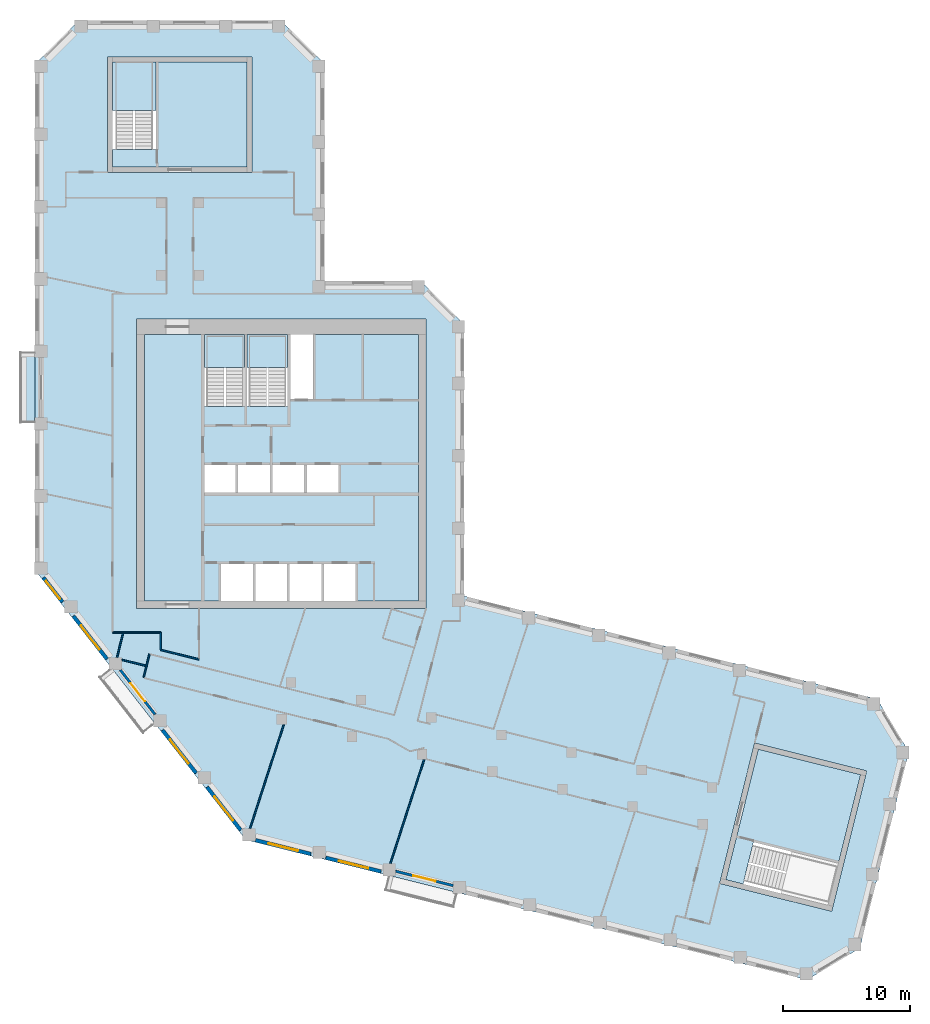
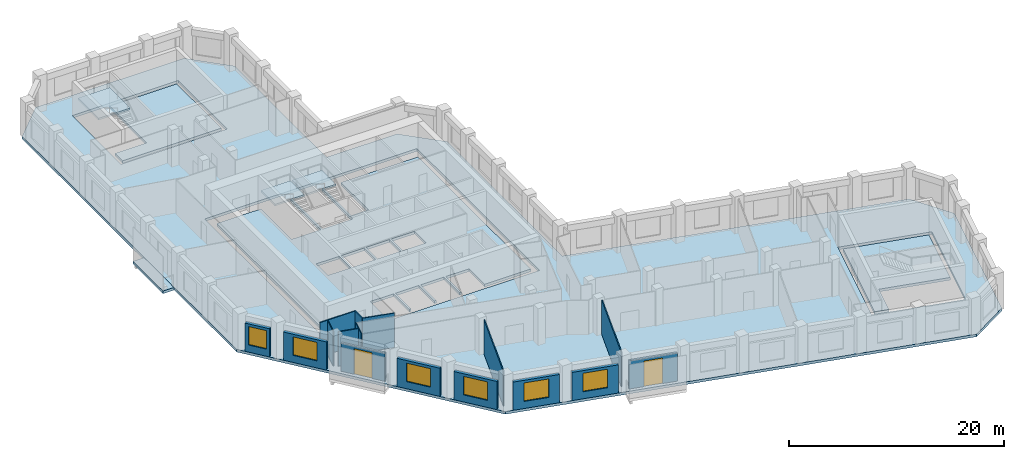
# One storey, part 2 of 9: 16 walls, 8 slabs, 6 windows, 2 doors, 8 openings, 3 elements without a shape of their own.
"""IFC4 building model written with IfcOpenShell, lengths in metres."""

from ifc_helpers import new_model, si_unit, direction, frame, frame_2d, origin, place, context, subcontext, project, spatial, polyline, rectangle, outline, extrude, material, layer, layer_set, type_object, element, fill, aggregate, save


model = new_model("IFC4")

# Units and contexts
model_context = context("Model", 3, precision=1e-05, world=origin(), true_north=direction((0.0, 1.0)))
body_context = subcontext(model_context, "Body", "Model", "MODEL_VIEW")
ifc_project = project(units=[si_unit("LENGTHUNIT", "METRE"), si_unit("AREAUNIT", "SQUARE_METRE"), si_unit("VOLUMEUNIT", "CUBIC_METRE"), si_unit("PLANEANGLEUNIT", "RADIAN"), si_unit("MASSUNIT", "GRAM", prefix="KILO")], contexts=[model_context])

# Site, building, storey
site_placement = place(None, origin())
site = spatial("IfcSite", under=ifc_project, at=site_placement, CompositionType="ELEMENT")
building_placement = place(site_placement, origin())
building = spatial("IfcBuilding", under=site, at=building_placement, Name="Meshkara Civic Tower", CompositionType="ELEMENT")
storey_placement = place(building_placement, frame((0.0, 0.0, 327.60009765625)))
storey = spatial("IfcBuildingStorey", under=building, at=storey_placement, Name="L75", CompositionType="ELEMENT", Elevation=327.60009765625)

# Slabs
ifc_material_1 = material(Name="Concrete C40", Category="concrete")
ifc_layer_1 = layer(ifc_material_1, 0.300048828125)
ifc_layer_set_1 = layer_set([ifc_layer_1], Name="BALCONY SLAB")
slab_type_1 = type_object("IfcSlabType", Name="BALCONY SLAB", PredefinedType="FLOOR", material=ifc_layer_set_1)
slab_1_placement = place(storey_placement, frame((0.0, 0.0, -0.300048828125)))
element("IfcSlab", 1, at=slab_1_placement, inside=storey, type_object=slab_type_1, Name="Balcony slab", PredefinedType="FLOOR", context=body_context, shape_type="SweptSolid", body=[
    extrude(outline(polyline([(-1.199951171875, 28.715087890625), (-1.199951171875, 34.294921875), (-0.050048828125, 34.294921875), (-0.050048828125, 33.85498046875), (0.0, 33.85498046875), (0.0, 29.155029296875), (-0.050048828125, 29.155029296875), (-0.050048828125, 28.715087890625), (-1.199951171875, 28.715087890625)])), origin(), (0.0, 0.0, 1.0), 0.300048828125),
])
ifc_material_2 = material(Name="Concrete C40/50", Category="concrete")
ifc_layer_2 = layer(ifc_material_2, 0.300048828125)
ifc_layer_set_2 = layer_set([ifc_layer_2], Name="Core floor slab 300 C40/50")
slab_type_2 = type_object("IfcSlabType", Name="Core floor slab 300 C40/50", PredefinedType="FLOOR", material=ifc_layer_set_2)
slab_2_placement = place(storey_placement, frame((0.0, 0.0, -0.300048828125)))
element("IfcSlab", 2, at=slab_2_placement, inside=storey, type_object=slab_type_2, Name="Core floor K", PredefinedType="FLOOR", context=body_context, shape_type="SweptSolid", body=[
    extrude(outline(polyline([(8.60009765625, 35.699951171875), (13.35009765625, 35.699951171875), (13.35009765625, 30.00146484375), (16.5, 30.00146484375), (16.5, 35.699951171875), (16.699951171875, 35.699951171875), (16.699951171875, 30.00146484375), (19.89990234375, 30.00146484375), (19.89990234375, 35.699951171875), (20.10009765625, 35.699951171875), (20.10009765625, 30.574951171875), (21.925048828125, 30.574951171875), (21.925048828125, 35.699951171875), (30.199951171875, 35.699951171875), (30.199951171875, 14.699951171875), (25.25, 14.699951171875), (25.25, 17.60009765625), (22.75, 17.60009765625), (22.75, 14.699951171875), (22.550048828125, 14.699951171875), (22.550048828125, 17.60009765625), (20.050048828125, 17.60009765625), (20.050048828125, 14.699951171875), (19.85009765625, 14.699951171875), (19.85009765625, 17.60009765625), (17.35009765625, 17.60009765625), (17.35009765625, 14.699951171875), (17.14990234375, 14.699951171875), (17.14990234375, 17.60009765625), (14.64990234375, 17.60009765625), (14.64990234375, 14.699951171875), (8.60009765625, 14.699951171875), (8.60009765625, 35.699951171875)]), holes=[polyline([(13.35009765625, 23.25), (15.800048828125, 23.25), (15.800048828125, 25.39990234375), (13.35009765625, 25.39990234375), (13.35009765625, 23.25)]), polyline([(18.5, 23.25), (18.5, 25.39990234375), (16.0, 25.39990234375), (16.0, 23.25), (18.5, 23.25)]), polyline([(18.699951171875, 23.25), (21.199951171875, 23.25), (21.199951171875, 25.39990234375), (18.699951171875, 25.39990234375), (18.699951171875, 23.25)]), polyline([(23.89990234375, 23.25), (23.89990234375, 25.39990234375), (21.39990234375, 25.39990234375), (21.39990234375, 23.25), (23.89990234375, 23.25)])]), origin(), (0.0, 0.0, 1.0), 0.300048828125),
])
slab_3_placement = place(storey_placement, frame((0.0, 0.0, -0.300048828125)))
element("IfcSlab", 3, at=slab_3_placement, inside=storey, type_object=slab_type_2, Name="Core floor EA", PredefinedType="FLOOR", context=body_context, shape_type="SweptSolid", body=[
    extrude(outline(polyline([(16.699951171875, 48.8701171875), (16.699951171875, 57.169921875), (9.5, 57.169921875), (9.5, 50.271484375), (6.10009765625, 50.271484375), (6.10009765625, 48.8701171875), (16.699951171875, 48.8701171875)])), origin(), (0.0, 0.0, 1.0), 0.300048828125),
])
slab_4_placement = place(storey_placement, frame((0.0, 0.0, -0.300048828125)))
element("IfcSlab", 4, at=slab_4_placement, inside=storey, type_object=slab_type_2, Name="Core floor EB", PredefinedType="FLOOR", context=body_context, shape_type="SweptSolid", body=[
    extrude(outline(polyline([(56.989013671875, 3.002197265625), (65.04248046875, 0.994384765625), (63.30078125, -5.99169921875), (56.607177734375, -4.322998046875), (55.78466796875, -7.621826171875), (54.4248046875, -7.282958984375), (56.989013671875, 3.002197265625)])), origin(), (0.0, 0.0, 1.0), 0.300048828125),
])

# Stair, slab
ifc_material_3 = material(Name="Precast concrete C40/50", Category="concrete")
stair_type = type_object("IfcStairType", Name="Exit stair half-turn 24 risers precast", PredefinedType="HALF_TURN_STAIR", material=ifc_material_3)
stair_1_placement = place(storey_placement, origin())
stair_1 = element("IfcStair", 5, at=stair_1_placement, inside=storey, type_object=stair_type, Name="L75 exit stair 1", PredefinedType="HALF_TURN_STAIR")
ifc_material_4 = material(Name="Precast concrete C40/50", Category="concrete")
ifc_layer_3 = layer(ifc_material_4, 0.199951171875)
ifc_layer_set_3 = layer_set([ifc_layer_3], Name="Exit stair landing 200")
slab_type_3 = type_object("IfcSlabType", Name="Exit stair landing 200", PredefinedType="LANDING", material=ifc_layer_set_3)
slab_5_placement = place(storey_placement, frame((0.0, 0.0, 1.89990234375)))
slab_5 = element("IfcSlab", 6, at=slab_5_placement, type_object=slab_type_3, Name="ST1 landing 1", PredefinedType="LANDING", context=body_context, shape_type="SweptSolid", body=[
    extrude(outline(polyline([(16.5, 33.07861328125), (16.5, 35.699951171875), (13.35009765625, 35.699951171875), (13.35009765625, 33.07861328125), (16.5, 33.07861328125)])), origin(), (0.0, 0.0, 1.0), 0.199951171875),
])
aggregate(stair_1, [slab_5])

stair_2_placement = place(storey_placement, origin())
stair_2 = element("IfcStair", 7, at=stair_2_placement, inside=storey, type_object=stair_type, Name="L75 exit stair 2", PredefinedType="HALF_TURN_STAIR")
slab_6_placement = place(storey_placement, frame((0.0, 0.0, 1.89990234375)))
slab_6 = element("IfcSlab", 8, at=slab_6_placement, type_object=slab_type_3, Name="ST2 landing 1", PredefinedType="LANDING", context=body_context, shape_type="SweptSolid", body=[
    extrude(outline(polyline([(19.89990234375, 33.07861328125), (19.89990234375, 35.699951171875), (16.699951171875, 35.699951171875), (16.699951171875, 33.07861328125), (19.89990234375, 33.07861328125)])), origin(), (0.0, 0.0, 1.0), 0.199951171875),
])
aggregate(stair_2, [slab_6])

stair_3_placement = place(storey_placement, origin())
stair_3 = element("IfcStair", 9, at=stair_3_placement, inside=storey, type_object=stair_type, Name="L75 exit stair A from L65", PredefinedType="HALF_TURN_STAIR")
slab_7_placement = place(storey_placement, frame((0.0, 0.0, 1.89990234375)))
slab_7 = element("IfcSlab", 10, at=slab_7_placement, type_object=slab_type_3, Name="ESA5 landing 1", PredefinedType="LANDING", context=body_context, shape_type="SweptSolid", body=[
    extrude(outline(polyline([(9.5, 53.348388671875), (9.5, 57.169921875), (6.10009765625, 57.169921875), (6.10009765625, 53.348388671875), (9.5, 53.348388671875)])), origin(), (0.0, 0.0, 1.0), 0.199951171875),
])
aggregate(stair_3, [slab_7])

# Slab
ifc_material_5 = material(Name="Concrete C50", Category="concrete")
ifc_layer_4 = layer(ifc_material_5, 0.300048828125)
ifc_layer_set_4 = layer_set([ifc_layer_4], Name="Post-tensioned flat slab 300 C50")
slab_type_4 = type_object("IfcSlabType", Name="Post-tensioned flat slab 300 C50", PredefinedType="FLOOR", material=ifc_layer_set_4)
slab_8_placement = place(storey_placement, frame((0.0, 0.0, -0.300048828125)))
element("IfcSlab", 11, at=slab_8_placement, inside=storey, type_object=slab_type_4, Name="Post-tensioned flat slab L75", PredefinedType="FLOOR", context=body_context, shape_type="SweptSolid", body=[
    extrude(outline(polyline([(64.98291015625, -12.677001953125), (60.837890625, -15.1689453125), (16.592041015625, -4.136962890625), (0.0, 17.10009765625), (0.0, 57.0), (3.419921875, 60.419921875), (19.3798828125, 60.419921875), (22.800048828125, 57.0), (22.800048828125, 39.89990234375), (30.3798828125, 39.89990234375), (33.800048828125, 36.47998046875), (33.800048828125, 15.071044921875), (66.35302734375, 6.9541015625), (68.843994140625, 2.80810546875), (64.98291015625, -12.677001953125)]), holes=[polyline([(62.77001953125, -9.77587890625), (65.527099609375, 1.285888671875), (56.697998046875, 3.487060546875), (53.93994140625, -7.573974609375), (62.77001953125, -9.77587890625)]), polyline([(8.0, 14.10009765625), (30.800048828125, 14.10009765625), (30.800048828125, 36.89990234375), (8.0, 36.89990234375), (8.0, 14.10009765625)]), polyline([(5.699951171875, 57.570068359375), (5.699951171875, 48.469970703125), (17.10009765625, 48.469970703125), (17.10009765625, 57.570068359375), (5.699951171875, 57.570068359375)])]), origin(), (0.0, 0.0, 1.0), 0.300048828125),
])

# Walls
ifc_material_6 = material(Name="Corridor wall 100")
ifc_layer_5 = layer(ifc_material_6, 0.10009765625)
ifc_layer_set_5 = layer_set([ifc_layer_5], Name="Corridor wall 100")
wall_type_1 = type_object("IfcWallType", Name="Corridor wall 100", PredefinedType="PARTITIONING", material=ifc_layer_set_5)
wall_1_placement = place(storey_placement, frame((6.10009765625, 12.199951171875, 0.0), z_axis=(0.0, 0.0, 1.0), x_axis=(1.0, 0.0, 0.0)))
element("IfcWall", 12, at=wall_1_placement, inside=storey, type_object=wall_type_1, Name="L75-W005", PredefinedType="PARTITIONING", context=body_context, shape_type="SweptSolid", body=[
    extrude(rectangle(XDim=3.7998046875, YDim=0.10009765625, at=frame_2d((1.89990234375, 0.0))), origin(), (0.0, 0.0, 1.0), 3.89990234375),
])
wall_2_placement = place(storey_placement, frame((9.001953125, 10.4990234375, 0.0), z_axis=(0.0, 0.0, 1.0), x_axis=(-0.241709519716, -0.970348652845, 0.0)))
element("IfcWall", 13, at=wall_2_placement, inside=storey, type_object=wall_type_1, Name="L75-W008", PredefinedType="PARTITIONING", context=body_context, shape_type="SweptSolid", body=[
    extrude(rectangle(XDim=1.877685546875, YDim=0.10009765625, at=frame_2d((0.93896484375, 0.0))), origin(), (0.0, 0.0, 1.0), 3.89990234375),
])
wall_3_placement = place(storey_placement, frame((9.89990234375, 10.825927734375, 0.0), z_axis=(0.0, 0.0, 1.0), x_axis=(0.970290953223, -0.241941038466, 0.0)))
element("IfcWall", 14, at=wall_3_placement, inside=storey, type_object=wall_type_1, Name="L75-W009", PredefinedType="PARTITIONING", context=body_context, shape_type="SweptSolid", body=[
    extrude(rectangle(XDim=3.091796875, YDim=0.10009765625, at=frame_2d((1.5458984375, 0.0))), origin(), (0.0, 0.0, 1.0), 3.89990234375),
])
wall_4_placement = place(storey_placement, frame((9.89990234375, 12.199951171875, 0.0), z_axis=(0.0, 0.0, 1.0), x_axis=(0.0, -1.0, 0.0)))
element("IfcWall", 15, at=wall_4_placement, inside=storey, type_object=wall_type_1, Name="L75-W010", PredefinedType="PARTITIONING", context=body_context, shape_type="SweptSolid", body=[
    extrude(rectangle(XDim=1.3740234375, YDim=0.10009765625, at=frame_2d((0.68701171875, 0.0))), origin(), (0.0, 0.0, 1.0), 3.89990234375),
])

# Wall, opening, window
ifc_material_7 = material(Name="Insulated infill panel with bronze anodised aluminium cladding", Category="aluminium")
ifc_layer_6 = layer(ifc_material_7, 0.300048828125)
ifc_layer_set_6 = layer_set([ifc_layer_6], Name="EXTERNAL INFILL WALL 300")
wall_type_2 = type_object("IfcWallType", Name="EXTERNAL INFILL WALL 300", PredefinedType="SOLIDWALL", material=ifc_layer_set_6)
wall_5_placement = place(storey_placement, frame((0.64599609375, 16.51708984375, 0.0), z_axis=(0.0, 0.0, 1.0), x_axis=(0.615610986717, -0.788050197026, 0.0)))
wall_5 = element("IfcWall", 16, at=wall_5_placement, inside=storey, type_object=wall_type_2, Name="External wall", PredefinedType="SOLIDWALL", context=body_context, shape_type="SweptSolid", body=[
    extrude(rectangle(XDim=2.4365234375, YDim=0.300048828125, at=frame_2d((1.21826171875, 0.0))), origin(), (0.0, 0.0, 1.0), 3.199951171875),
])
opening_1_placement = place(wall_5_placement, frame((0.318115234375, 0.0, 0.800048828125)))
opening_1 = element("IfcOpeningElement", 17, at=opening_1_placement, cuts=wall_5, Name="Opening W9", PredefinedType="OPENING", context=body_context, shape_type="SweptSolid", body=[
    extrude(rectangle(XDim=1.800048828125, YDim=2.10009765625, at=frame_2d((0.89990234375, 1.050048828125))), frame((0.0, 0.159912109375, 0.0), z_axis=(0.0, -1.0, 0.0), x_axis=(1.0, 0.0, 0.0)), (0.0, 0.0, 1.0), 0.320068359375),
])
ifc_material_8 = material(Name="Tinted double glazing", Category="glass")
window_type_1 = type_object("IfcWindowType", Name="WINDOW 1800x2100", PartitioningType="DOUBLE_PANEL_VERTICAL", PredefinedType="WINDOW", material=ifc_material_8)
window_1_placement = place(opening_1_placement, origin())
window_1 = element("IfcWindow", 18, at=window_1_placement, inside=storey, type_object=window_type_1, Name="Window", OverallHeight=2.10009765625, OverallWidth=1.800048828125, PartitioningType="DOUBLE_PANEL_VERTICAL", PredefinedType="WINDOW", context=body_context, shape_type="SweptSolid", body=[
    extrude(rectangle(XDim=1.800048828125, YDim=2.10009765625, at=frame_2d((0.89990234375, 1.050048828125))), frame((0.0, 0.030029296875, 0.0), z_axis=(0.0, -1.0, 0.0), x_axis=(1.0, 0.0, 0.0)), (0.0, 0.0, 1.0), 0.06005859375),
])
fill(opening_1, window_1)

wall_6_placement = place(storey_placement, frame((3.010009765625, 13.490966796875, 0.0), z_axis=(0.0, 0.0, 1.0), x_axis=(0.615713519567, -0.787970089421, 0.0)))
wall_6 = element("IfcWall", 19, at=wall_6_placement, inside=storey, type_object=wall_type_2, Name="External wall", PredefinedType="SOLIDWALL", context=body_context, shape_type="SweptSolid", body=[
    extrude(rectangle(XDim=4.2958984375, YDim=0.300048828125, at=frame_2d((2.14794921875, 0.0))), origin(), (0.0, 0.0, 1.0), 3.199951171875),
])
opening_2_placement = place(wall_6_placement, frame((0.947998046875, 0.0, 0.800048828125)))
opening_2 = element("IfcOpeningElement", 20, at=opening_2_placement, cuts=wall_6, Name="Opening W7", PredefinedType="OPENING", context=body_context, shape_type="SweptSolid", body=[
    extrude(rectangle(XDim=2.39990234375, YDim=2.10009765625, at=frame_2d((1.199951171875, 1.050048828125))), frame((0.0, 0.159912109375, 0.0), z_axis=(0.0, -1.0, 0.0), x_axis=(1.0, 0.0, 0.0)), (0.0, 0.0, 1.0), 0.320068359375),
])
ifc_material_9 = material(Name="Tinted double glazing", Category="glass")
window_type_2 = type_object("IfcWindowType", Name="WINDOW 2400x2100", PartitioningType="DOUBLE_PANEL_VERTICAL", PredefinedType="WINDOW", material=ifc_material_9)
window_2_placement = place(opening_2_placement, origin())
window_2 = element("IfcWindow", 21, at=window_2_placement, inside=storey, type_object=window_type_2, Name="Window", OverallHeight=2.10009765625, OverallWidth=2.39990234375, PartitioningType="DOUBLE_PANEL_VERTICAL", PredefinedType="WINDOW", context=body_context, shape_type="SweptSolid", body=[
    extrude(rectangle(XDim=2.39990234375, YDim=2.10009765625, at=frame_2d((1.199951171875, 1.050048828125))), frame((0.0, 0.030029296875, 0.0), z_axis=(0.0, -1.0, 0.0), x_axis=(1.0, 0.0, 0.0)), (0.0, 0.0, 1.0), 0.06005859375),
])
fill(opening_2, window_2)

wall_7_placement = place(storey_placement, frame((10.029052734375, 4.507080078125, 0.0), z_axis=(0.0, 0.0, 1.0), x_axis=(0.615572343689, -0.788080382756, 0.0)))
wall_7 = element("IfcWall", 22, at=wall_7_placement, inside=storey, type_object=wall_type_2, Name="External wall", PredefinedType="SOLIDWALL", context=body_context, shape_type="SweptSolid", body=[
    extrude(rectangle(XDim=4.295166015625, YDim=0.300048828125, at=frame_2d((2.1474609375, 0.0))), origin(), (0.0, 0.0, 1.0), 3.199951171875),
])
opening_3_placement = place(wall_7_placement, frame((0.947998046875, 0.0, 0.800048828125)))
opening_3 = element("IfcOpeningElement", 23, at=opening_3_placement, cuts=wall_7, Name="Opening W7", PredefinedType="OPENING", context=body_context, shape_type="SweptSolid", body=[
    extrude(rectangle(XDim=2.39990234375, YDim=2.10009765625, at=frame_2d((1.199951171875, 1.050048828125))), frame((0.0, 0.159912109375, 0.0), z_axis=(0.0, -1.0, 0.0), x_axis=(1.0, 0.0, 0.0)), (0.0, 0.0, 1.0), 0.320068359375),
])
window_3_placement = place(opening_3_placement, origin())
window_3 = element("IfcWindow", 24, at=window_3_placement, inside=storey, type_object=window_type_2, Name="Window", OverallHeight=2.10009765625, OverallWidth=2.39990234375, PartitioningType="DOUBLE_PANEL_VERTICAL", PredefinedType="WINDOW", context=body_context, shape_type="SweptSolid", body=[
    extrude(rectangle(XDim=2.39990234375, YDim=2.10009765625, at=frame_2d((1.199951171875, 1.050048828125))), frame((0.0, 0.030029296875, 0.0), z_axis=(0.0, -1.0, 0.0), x_axis=(1.0, 0.0, 0.0)), (0.0, 0.0, 1.0), 0.06005859375),
])
fill(opening_3, window_3)

wall_8_placement = place(storey_placement, frame((13.5380859375, 0.01611328125, 0.0), z_axis=(0.0, 0.0, 1.0), x_axis=(0.615713519567, -0.787970089421, 0.0)))
wall_8 = element("IfcWall", 25, at=wall_8_placement, inside=storey, type_object=wall_type_2, Name="External wall", PredefinedType="SOLIDWALL", context=body_context, shape_type="SweptSolid", body=[
    extrude(rectangle(XDim=4.2958984375, YDim=0.300048828125, at=frame_2d((2.14794921875, 0.0))), origin(), (0.0, 0.0, 1.0), 3.199951171875),
])
opening_4_placement = place(wall_8_placement, frame((0.947998046875, 0.0, 0.800048828125)))
opening_4 = element("IfcOpeningElement", 26, at=opening_4_placement, cuts=wall_8, Name="Opening W7", PredefinedType="OPENING", context=body_context, shape_type="SweptSolid", body=[
    extrude(rectangle(XDim=2.39990234375, YDim=2.10009765625, at=frame_2d((1.199951171875, 1.050048828125))), frame((0.0, 0.159912109375, 0.0), z_axis=(0.0, -1.0, 0.0), x_axis=(1.0, 0.0, 0.0)), (0.0, 0.0, 1.0), 0.320068359375),
])
window_4_placement = place(opening_4_placement, origin())
window_4 = element("IfcWindow", 27, at=window_4_placement, inside=storey, type_object=window_type_2, Name="Window", OverallHeight=2.10009765625, OverallWidth=2.39990234375, PartitioningType="DOUBLE_PANEL_VERTICAL", PredefinedType="WINDOW", context=body_context, shape_type="SweptSolid", body=[
    extrude(rectangle(XDim=2.39990234375, YDim=2.10009765625, at=frame_2d((1.199951171875, 1.050048828125))), frame((0.0, 0.030029296875, 0.0), z_axis=(0.0, -1.0, 0.0), x_axis=(1.0, 0.0, 0.0)), (0.0, 0.0, 1.0), 0.06005859375),
])
fill(opening_4, window_4)

wall_9_placement = place(storey_placement, frame((17.366943359375, -4.176025390625, 0.0), z_axis=(0.0, 0.0, 1.0), x_axis=(0.970327846266, -0.241793032904, 0.0)))
wall_9 = element("IfcWall", 28, at=wall_9_placement, inside=storey, type_object=wall_type_2, Name="External wall", PredefinedType="SOLIDWALL", context=body_context, shape_type="SweptSolid", body=[
    extrude(rectangle(XDim=4.487060546875, YDim=0.300048828125, at=frame_2d((2.24365234375, 0.0))), origin(), (0.0, 0.0, 1.0), 3.199951171875),
])
opening_5_placement = place(wall_9_placement, frame((1.0439453125, 0.0, 0.800048828125)))
opening_5 = element("IfcOpeningElement", 29, at=opening_5_placement, cuts=wall_9, Name="Opening W7", PredefinedType="OPENING", context=body_context, shape_type="SweptSolid", body=[
    extrude(rectangle(XDim=2.39990234375, YDim=2.10009765625, at=frame_2d((1.199951171875, 1.050048828125))), frame((0.0, 0.159912109375, 0.0), z_axis=(0.0, -1.0, 0.0), x_axis=(1.0, 0.0, 0.0)), (0.0, 0.0, 1.0), 0.320068359375),
])
window_5_placement = place(opening_5_placement, origin())
window_5 = element("IfcWindow", 30, at=window_5_placement, inside=storey, type_object=window_type_2, Name="Window", OverallHeight=2.10009765625, OverallWidth=2.39990234375, PartitioningType="DOUBLE_PANEL_VERTICAL", PredefinedType="WINDOW", context=body_context, shape_type="SweptSolid", body=[
    extrude(rectangle(XDim=2.39990234375, YDim=2.10009765625, at=frame_2d((1.199951171875, 1.050048828125))), frame((0.0, 0.030029296875, 0.0), z_axis=(0.0, -1.0, 0.0), x_axis=(1.0, 0.0, 0.0)), (0.0, 0.0, 1.0), 0.06005859375),
])
fill(opening_5, window_5)

wall_10_placement = place(storey_placement, frame((22.89794921875, -5.554931640625, 0.0), z_axis=(0.0, 0.0, 1.0), x_axis=(0.970315118421, -0.24184410467, 0.0)))
wall_10 = element("IfcWall", 31, at=wall_10_placement, inside=storey, type_object=wall_type_2, Name="External wall", PredefinedType="SOLIDWALL", context=body_context, shape_type="SweptSolid", body=[
    extrude(rectangle(XDim=4.486083984375, YDim=0.300048828125, at=frame_2d((2.2431640625, 0.0))), origin(), (0.0, 0.0, 1.0), 3.199951171875),
])
opening_6_placement = place(wall_10_placement, frame((1.0439453125, 0.0, 0.800048828125)))
opening_6 = element("IfcOpeningElement", 32, at=opening_6_placement, cuts=wall_10, Name="Opening W7", PredefinedType="OPENING", context=body_context, shape_type="SweptSolid", body=[
    extrude(rectangle(XDim=2.39990234375, YDim=2.10009765625, at=frame_2d((1.199951171875, 1.050048828125))), frame((0.0, 0.159912109375, 0.0), z_axis=(0.0, -1.0, 0.0), x_axis=(1.0, 0.0, 0.0)), (0.0, 0.0, 1.0), 0.320068359375),
])
window_6_placement = place(opening_6_placement, origin())
window_6 = element("IfcWindow", 33, at=window_6_placement, inside=storey, type_object=window_type_2, Name="Window", OverallHeight=2.10009765625, OverallWidth=2.39990234375, PartitioningType="DOUBLE_PANEL_VERTICAL", PredefinedType="WINDOW", context=body_context, shape_type="SweptSolid", body=[
    extrude(rectangle(XDim=2.39990234375, YDim=2.10009765625, at=frame_2d((1.199951171875, 1.050048828125))), frame((0.0, 0.030029296875, 0.0), z_axis=(0.0, -1.0, 0.0), x_axis=(1.0, 0.0, 0.0)), (0.0, 0.0, 1.0), 0.06005859375),
])
fill(opening_6, window_6)

# Wall, opening, door
ifc_material_10 = material(Name="Insulated infill panel with bronze anodised aluminium cladding", Category="aluminium")
ifc_layer_7 = layer(ifc_material_10, 0.199951171875)
ifc_layer_set_7 = layer_set([ifc_layer_7], Name="LOGGIA BACK WALL 200")
wall_type_3 = type_object("IfcWallType", Name="LOGGIA BACK WALL 200", PredefinedType="SOLIDWALL", material=ifc_layer_set_7)
wall_11_placement = place(storey_placement, frame((6.715087890625, 9.237060546875, 0.0), z_axis=(0.0, 0.0, 1.0), x_axis=(0.615465445194, -0.788163869873, 0.0)))
wall_11 = element("IfcWall", 34, at=wall_11_placement, inside=storey, type_object=wall_type_3, Name="Loggia wall", PredefinedType="SOLIDWALL", context=body_context, shape_type="SweptSolid", body=[
    extrude(rectangle(XDim=4.430419921875, YDim=0.199951171875, at=frame_2d((2.21533203125, 0.0))), origin(), (0.0, 0.0, 1.0), 3.199951171875),
])
opening_7_placement = place(wall_11_placement, frame((1.31494140625, 0.0, 0.0)))
opening_7 = element("IfcOpeningElement", 35, at=opening_7_placement, cuts=wall_11, Name="Opening L75-L002", PredefinedType="OPENING", context=body_context, shape_type="SweptSolid", body=[
    extrude(rectangle(XDim=1.800048828125, YDim=2.89990234375, at=frame_2d((0.89990234375, 1.449951171875))), frame((0.0, 0.10986328125, 0.0), z_axis=(0.0, -1.0, 0.0), x_axis=(1.0, 0.0, 0.0)), (0.0, 0.0, 1.0), 0.219970703125),
])
ifc_material_11 = material(Name="Tinted double glazing", Category="glass")
door_type = type_object("IfcDoorType", Name="LOGGIA DOOR 1800x2900", OperationType="DOUBLE_DOOR_SINGLE_SWING", PredefinedType="DOOR", material=ifc_material_11)
door_1_placement = place(opening_7_placement, origin())
door_1 = element("IfcDoor", 36, at=door_1_placement, inside=storey, type_object=door_type, Name="L75-L002", OperationType="DOUBLE_DOOR_SINGLE_SWING", OverallHeight=2.89990234375, OverallWidth=1.800048828125, PredefinedType="DOOR", context=body_context, shape_type="SweptSolid", body=[
    extrude(rectangle(XDim=1.800048828125, YDim=2.89990234375, at=frame_2d((0.89990234375, 1.449951171875))), frame((0.0, 0.02490234375, 0.0), z_axis=(0.0, -1.0, 0.0), x_axis=(1.0, 0.0, 0.0)), (0.0, 0.0, 1.0), 0.050048828125),
])
fill(opening_7, door_1)

wall_12_placement = place(storey_placement, frame((28.412109375, -6.6201171875, 0.0), z_axis=(0.0, 0.0, 1.0), x_axis=(0.970286870015, -0.241957413354, 0.0)))
wall_12 = element("IfcWall", 37, at=wall_12_placement, inside=storey, type_object=wall_type_3, Name="Loggia wall", PredefinedType="SOLIDWALL", context=body_context, shape_type="SweptSolid", body=[
    extrude(rectangle(XDim=4.669677734375, YDim=0.199951171875, at=frame_2d((2.3349609375, 0.0))), origin(), (0.0, 0.0, 1.0), 3.199951171875),
])
opening_8_placement = place(wall_12_placement, frame((1.43408203125, 0.0, 0.0)))
opening_8 = element("IfcOpeningElement", 38, at=opening_8_placement, cuts=wall_12, Name="Opening L75-L003", PredefinedType="OPENING", context=body_context, shape_type="SweptSolid", body=[
    extrude(rectangle(XDim=1.800048828125, YDim=2.89990234375, at=frame_2d((0.89990234375, 1.449951171875))), frame((0.0, 0.10986328125, 0.0), z_axis=(0.0, -1.0, 0.0), x_axis=(1.0, 0.0, 0.0)), (0.0, 0.0, 1.0), 0.219970703125),
])
door_2_placement = place(opening_8_placement, origin())
door_2 = element("IfcDoor", 39, at=door_2_placement, inside=storey, type_object=door_type, Name="L75-L003", OperationType="DOUBLE_DOOR_SINGLE_SWING", OverallHeight=2.89990234375, OverallWidth=1.800048828125, PredefinedType="DOOR", context=body_context, shape_type="SweptSolid", body=[
    extrude(rectangle(XDim=1.800048828125, YDim=2.89990234375, at=frame_2d((0.89990234375, 1.449951171875))), frame((0.0, 0.02490234375, 0.0), z_axis=(0.0, -1.0, 0.0), x_axis=(1.0, 0.0, 0.0)), (0.0, 0.0, 1.0), 0.050048828125),
])
fill(opening_8, door_2)

# Walls
ifc_material_12 = material(Name="Partition 100")
ifc_layer_8 = layer(ifc_material_12, 0.10009765625)
ifc_layer_set_8 = layer_set([ifc_layer_8], Name="Partition 100")
wall_type_4 = type_object("IfcWallType", Name="Partition 100", PredefinedType="PARTITIONING", material=ifc_layer_set_8)
wall_13_placement = place(storey_placement, frame((6.922119140625, 12.137939453125, 0.0), z_axis=(0.0, 0.0, 1.0), x_axis=(-0.242476987996, -0.970157157523, 0.0)))
element("IfcWall", 40, at=wall_13_placement, inside=storey, type_object=wall_type_4, Name="L75-W045", PredefinedType="PARTITIONING", context=body_context, shape_type="SweptSolid", body=[
    extrude(rectangle(XDim=1.95947265625, YDim=0.10009765625, at=frame_2d((0.979736328125, 0.0))), origin(), (0.0, 0.0, 1.0), 3.89990234375),
])
wall_14_placement = place(storey_placement, frame((8.719970703125, 9.574951171875, 0.0), z_axis=(0.0, 0.0, 1.0), x_axis=(-0.970274576003, 0.242006708918, 0.0)))
element("IfcWall", 41, at=wall_14_placement, inside=storey, type_object=wall_type_4, Name="L75-W047", PredefinedType="PARTITIONING", context=body_context, shape_type="SweptSolid", body=[
    extrude(rectangle(XDim=1.955078125, YDim=0.10009765625, at=frame_2d((0.9775390625, 0.0))), origin(), (0.0, 0.0, 1.0), 3.89990234375),
])
for number, where, z_axis, x_axis, name in (
    (42, (16.929931640625, -3.238037109375, 0.0), (0.0, 0.0, 1.0), (0.308953497737, 0.95107714526, 0.0), "L75-W048"),
    (43, (27.990966796875, -5.99609375, 0.0), (0.0, 0.0, 1.0), (0.308953497737, 0.95107714526, 0.0), "L75-W053"),
):
    element("IfcWall", number, at=place(storey_placement, frame(where, z_axis=z_axis, x_axis=x_axis)), inside=storey, type_object=wall_type_4, Name=name, PredefinedType="PARTITIONING", context=body_context, shape_type="SweptSolid", body=[
        extrude(rectangle(XDim=8.61962890625, YDim=0.10009765625, at=frame_2d((4.309814453125, 0.0))), origin(), (0.0, 0.0, 1.0), 3.89990234375),
    ])

save(model, "model.ifc")
